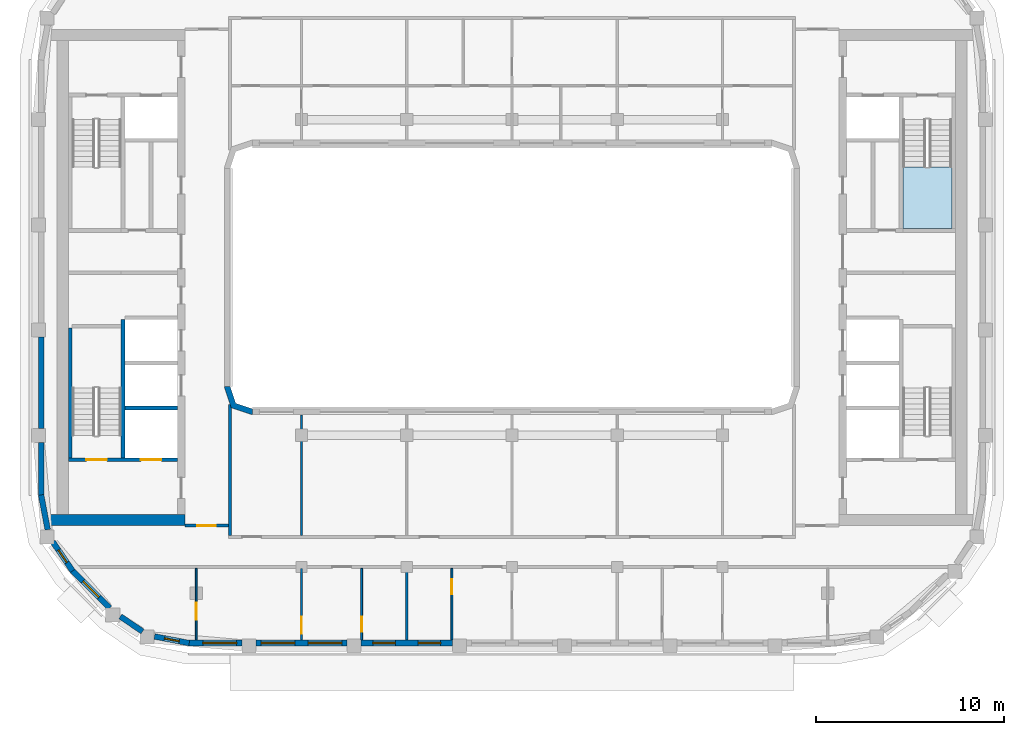
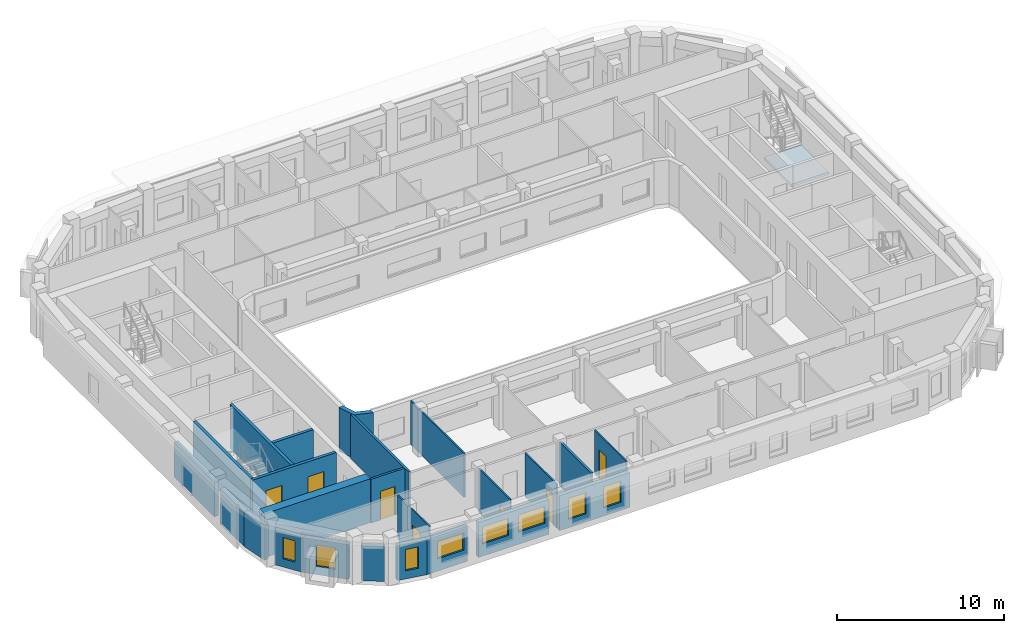
# One storey, part 2 of 16: 24 walls, 8 windows, 7 doors, 1 slab, 15 openings, 1 element without a shape of its own.
"""IFC4 building model written with IfcOpenShell, lengths in metres."""

from ifc_helpers import new_model, si_unit, direction, frame, frame_2d, origin, place, context, subcontext, project, spatial, polyline, rectangle, outline, extrude, material, layer, layer_set, type_object, element, fill, aggregate, save


model = new_model("IFC4")

# Units and contexts
model_context = context("Model", 3, precision=1e-05, world=origin(), true_north=direction((0.0, 1.0)))
body_context = subcontext(model_context, "Body", "Model", "MODEL_VIEW")
ifc_project = project(units=[si_unit("LENGTHUNIT", "METRE"), si_unit("AREAUNIT", "SQUARE_METRE"), si_unit("VOLUMEUNIT", "CUBIC_METRE"), si_unit("PLANEANGLEUNIT", "RADIAN"), si_unit("MASSUNIT", "GRAM", prefix="KILO")], contexts=[model_context])

# Site, building, storey
site_placement = place(None, origin())
site = spatial("IfcSite", under=ifc_project, at=site_placement, CompositionType="ELEMENT")
building_placement = place(site_placement, origin())
building = spatial("IfcBuilding", under=site, at=building_placement, Name="Kiln Ring Residences", CompositionType="ELEMENT")
storey_placement = place(building_placement, frame((0.0, 0.0, 276.699951171875)))
storey = spatial("IfcBuildingStorey", under=building, at=storey_placement, Name="L72", CompositionType="ELEMENT", Elevation=276.699951171875)

# Stair, slab
ifc_material_1 = material(Name="Concrete C40/50", Category="concrete")
stair_type = type_object("IfcStairType", Name="CORE-STAIR", PredefinedType="HALF_TURN_STAIR", material=ifc_material_1)
placement = place(storey_placement, origin())
stair = element("IfcStair", 1, at=placement, inside=storey, type_object=stair_type, Name="L72 stair E-STN", PredefinedType="HALF_TURN_STAIR")
ifc_material_2 = material(Name="Concrete C40/50", Category="concrete")
ifc_layer_1 = layer(ifc_material_2, 0.199951171875)
ifc_layer_set_1 = layer_set([ifc_layer_1], Name="CORE-STAIR-LANDING")
slab_type = type_object("IfcSlabType", Name="CORE-STAIR-LANDING", PredefinedType="LANDING", material=ifc_layer_set_1)
slab_placement = place(storey_placement, frame((0.0, 0.0, 1.550048828125)))
slab = element("IfcSlab", 2, at=slab_placement, type_object=slab_type, Name="E-STN landing 1", PredefinedType="LANDING", context=body_context, shape_type="SweptSolid", body=[
    extrude(outline(polyline([(20.800048828125, 5.8798828125), (20.800048828125, 2.60009765625), (23.39990234375, 2.60009765625), (23.39990234375, 5.8798828125), (20.800048828125, 5.8798828125)])), origin(), (0.0, 0.0, 1.0), 0.199951171875),
])
aggregate(stair, [slab])

# Walls
ifc_material_3 = material(Name="Gypsum shaft wall system")
ifc_layer_2 = layer(ifc_material_3, 0.199951171875)
ifc_layer_set_2 = layer_set([ifc_layer_2], Name="CORE-SHAFT-WALL-200")
wall_type_1 = type_object("IfcWallType", Name="CORE-SHAFT-WALL-200", PredefinedType="PARTITIONING", material=ifc_layer_set_2)
wall_1_placement = place(storey_placement, frame((-17.800048828125, -6.949951171875, 0.0), z_axis=(0.0, 0.0, 1.0), x_axis=(-1.0, 0.0, 0.0)))
element("IfcWall", 3, at=wall_1_placement, inside=storey, type_object=wall_type_1, Name="Core partition west L72 3", PredefinedType="PARTITIONING", context=body_context, shape_type="SweptSolid", body=[
    extrude(rectangle(XDim=2.800048828125, YDim=0.199951171875, at=frame_2d((1.39990234375, 0.0))), origin(), (0.0, 0.0, 1.0), 3.199951171875),
])
ifc_material_4 = material(Name="Concrete C40/50", Category="concrete")
ifc_layer_3 = layer(ifc_material_4, 0.199951171875)
ifc_layer_set_3 = layer_set([ifc_layer_3], Name="CORE-WALL-RC200")
wall_type_2 = type_object("IfcWallType", Name="CORE-WALL-RC200", PredefinedType="SHEAR", material=ifc_layer_set_3)
wall_2_placement = place(storey_placement, frame((-20.699951171875, -9.60009765625, 0.0), z_axis=(0.0, 0.0, 1.0), x_axis=(0.0, 1.0, 0.0)))
element("IfcWall", 4, at=wall_2_placement, inside=storey, type_object=wall_type_2, Name="Core wall west L72 2", PredefinedType="SHEAR", context=body_context, shape_type="SweptSolid", body=[
    extrude(rectangle(XDim=7.35009765625, YDim=0.199951171875, at=frame_2d((3.675048828125, 0.0))), origin(), (0.0, 0.0, 1.0), 3.199951171875),
])

# Wall, openings, doors
wall_3_placement = place(storey_placement, frame((-17.800048828125, -9.699951171875, 0.0), z_axis=(0.0, 0.0, 1.0), x_axis=(-1.0, 0.0, 0.0)))
wall_3 = element("IfcWall", 5, at=wall_3_placement, inside=storey, type_object=wall_type_2, Name="Core wall west L72 8", PredefinedType="SHEAR", context=body_context, shape_type="SweptSolid", body=[
    extrude(rectangle(XDim=5.800048828125, YDim=0.199951171875, at=frame_2d((2.89990234375, 0.0))), origin(), (0.0, 0.0, 1.0), 3.199951171875),
])
opening_1_placement = place(wall_3_placement, frame((0.85009765625, 0.0, 0.0)))
opening_1 = element("IfcOpeningElement", 6, at=opening_1_placement, cuts=wall_3, Name="Opening L72-CW01", PredefinedType="OPENING", context=body_context, shape_type="SweptSolid", body=[
    extrude(rectangle(XDim=1.10009765625, YDim=2.10009765625, at=frame_2d((0.550048828125, 1.050048828125))), frame((0.0, 0.10986328125, 0.0), z_axis=(0.0, -1.0, 0.0), x_axis=(1.0, 0.0, 0.0)), (0.0, 0.0, 1.0), 0.219970703125),
])
opening_2_placement = place(wall_3_placement, frame((3.75, 0.0, 0.0)))
opening_2 = element("IfcOpeningElement", 7, at=opening_2_placement, cuts=wall_3, Name="Opening L72-CW11", PredefinedType="OPENING", context=body_context, shape_type="SweptSolid", body=[
    extrude(rectangle(XDim=1.10009765625, YDim=2.10009765625, at=frame_2d((0.550048828125, 1.050048828125))), frame((0.0, 0.10986328125, 0.0), z_axis=(0.0, -1.0, 0.0), x_axis=(1.0, 0.0, 0.0)), (0.0, 0.0, 1.0), 0.219970703125),
])
ifc_material_5 = material(Name="Steel door leaf", Category="steel")
door_type_1 = type_object("IfcDoorType", Name="CORE-DOOR-LD", OperationType="DOUBLE_DOOR_SLIDING", PredefinedType="DOOR", material=ifc_material_5)
door_1_placement = place(opening_1_placement, origin())
door_1 = element("IfcDoor", 8, at=door_1_placement, inside=storey, type_object=door_type_1, Name="LD W-SV L72-CW01", OperationType="DOUBLE_DOOR_SLIDING", OverallHeight=2.10009765625, OverallWidth=1.10009765625, PredefinedType="DOOR", context=body_context, shape_type="SweptSolid", body=[
    extrude(rectangle(XDim=1.10009765625, YDim=2.10009765625, at=frame_2d((0.550048828125, 1.050048828125))), frame((0.0, 0.02490234375, 0.0), z_axis=(0.0, -1.0, 0.0), x_axis=(1.0, 0.0, 0.0)), (0.0, 0.0, 1.0), 0.050048828125),
])
fill(opening_1, door_1)
ifc_material_6 = material(Name="Steel door leaf", Category="steel")
door_type_2 = type_object("IfcDoorType", Name="CORE-DOOR-STAIR", OperationType="SINGLE_SWING_LEFT", PredefinedType="DOOR", material=ifc_material_6)
door_2_placement = place(opening_2_placement, origin())
door_2 = element("IfcDoor", 9, at=door_2_placement, inside=storey, type_object=door_type_2, Name="Stair W-STS L72-CW11", OperationType="SINGLE_SWING_RIGHT", OverallHeight=2.10009765625, OverallWidth=1.10009765625, PredefinedType="DOOR", context=body_context, shape_type="SweptSolid", body=[
    extrude(rectangle(XDim=1.10009765625, YDim=2.10009765625, at=frame_2d((0.550048828125, 1.050048828125))), frame((0.0, 0.02490234375, 0.0), z_axis=(0.0, -1.0, 0.0), x_axis=(1.0, 0.0, 0.0)), (0.0, 0.0, 1.0), 0.050048828125),
])
fill(opening_2, door_2)

# Walls
wall_4_placement = place(storey_placement, frame((-23.5, -9.60009765625, 0.0), z_axis=(0.0, 0.0, 1.0), x_axis=(0.0, 1.0, 0.0)))
element("IfcWall", 10, at=wall_4_placement, inside=storey, type_object=wall_type_2, Name="Core wall west L72 11", PredefinedType="SHEAR", context=body_context, shape_type="SweptSolid", body=[
    extrude(rectangle(XDim=6.900146484375, YDim=0.199951171875, at=frame_2d((3.4501953125, 0.0))), origin(), (0.0, 0.0, 1.0), 3.199951171875),
])
ifc_material_7 = material(Name="Concrete C60/75", Category="concrete")
ifc_layer_4 = layer(ifc_material_7, 0.60009765625)
ifc_layer_set_4 = layer_set([ifc_layer_4], Name="CORE-WALL-RC600")
wall_type_3 = type_object("IfcWallType", Name="CORE-WALL-RC600", PredefinedType="SHEAR", material=ifc_layer_set_4)
wall_5_placement = place(storey_placement, frame((-17.39990234375, -12.89990234375, 0.0), z_axis=(0.0, 0.0, 1.0), x_axis=(-1.0, 0.0, 0.0)))
element("IfcWall", 11, at=wall_5_placement, inside=storey, type_object=wall_type_3, Name="Core wall west L72 5", PredefinedType="SHEAR", context=body_context, shape_type="SweptSolid", body=[
    extrude(rectangle(XDim=7.320068359375, YDim=0.60009765625, at=frame_2d((3.66015625, 0.0))), origin(), (0.0, 0.0, 1.0), 3.199951171875),
])

# Wall, opening, window
ifc_material_8 = material(Name="Brick masonry, dark clay brick", Category="masonry")
ifc_layer_5 = layer(ifc_material_8, 0.300048828125)
ifc_layer_set_5 = layer_set([ifc_layer_5], Name="EW-300 BRICK WALL")
wall_type_4 = type_object("IfcWallType", Name="EW-300 BRICK WALL", PredefinedType="SOLIDWALL", material=ifc_layer_set_5)
wall_6_placement = place(storey_placement, frame((-23.39697265625, -15.591064453125, 0.0), z_axis=(0.0, 0.0, 1.0), x_axis=(0.707106781187, -0.707106781187, 0.0)))
wall_6 = element("IfcWall", 12, at=wall_6_placement, inside=storey, type_object=wall_type_4, Name="Facade wall L72 1", PredefinedType="SOLIDWALL", context=body_context, shape_type="SweptSolid", body=[
    extrude(rectangle(XDim=2.824951171875, YDim=0.300048828125, at=frame_2d((1.41259765625, 0.0))), origin(), (0.0, 0.0, 1.0), 2.550048828125),
])
opening_3_placement = place(wall_6_placement, frame((0.8125, 0.0, 0.60009765625)))
opening_3 = element("IfcOpeningElement", 13, at=opening_3_placement, cuts=wall_6, Name="Opening W1", PredefinedType="OPENING", context=body_context, shape_type="SweptSolid", body=[
    extrude(rectangle(XDim=1.199951171875, YDim=1.550048828125, at=frame_2d((0.60009765625, 0.77490234375))), frame((0.0, 0.159912109375, 0.0), z_axis=(0.0, -1.0, 0.0), x_axis=(1.0, 0.0, 0.0)), (0.0, 0.0, 1.0), 0.320068359375),
])
ifc_material_9 = material(Name="Aluminium frame with double glazing", Category="aluminium")
window_type_1 = type_object("IfcWindowType", Name="WINDOW 1200 x 1550", PartitioningType="SINGLE_PANEL", PredefinedType="WINDOW", material=ifc_material_9)
window_1_placement = place(opening_3_placement, origin())
window_1 = element("IfcWindow", 14, at=window_1_placement, inside=storey, type_object=window_type_1, Name="Window L72 1", OverallHeight=1.550048828125, OverallWidth=1.199951171875, PartitioningType="SINGLE_PANEL", PredefinedType="WINDOW", context=body_context, shape_type="SweptSolid", body=[
    extrude(rectangle(XDim=1.199951171875, YDim=1.550048828125, at=frame_2d((0.60009765625, 0.77490234375))), frame((0.0, 0.030029296875, 0.0), z_axis=(0.0, -1.0, 0.0), x_axis=(1.0, 0.0, 0.0)), (0.0, 0.0, 1.0), 0.06005859375),
])
fill(opening_3, window_1)

# Wall
wall_7_placement = place(storey_placement, frame((-20.837158203125, -18.0341796875, 0.0), z_axis=(0.0, 0.0, 1.0), x_axis=(0.827095130818, -0.562061957952, 0.0)))
element("IfcWall", 15, at=wall_7_placement, inside=storey, type_object=wall_type_4, Name="Facade wall L72 2", PredefinedType="SOLIDWALL", context=body_context, shape_type="SweptSolid", body=[
    extrude(rectangle(XDim=1.427001953125, YDim=0.300048828125, at=frame_2d((0.71337890625, 0.0))), origin(), (0.0, 0.0, 1.0), 2.550048828125),
])

# Wall, opening, window
wall_8_placement = place(storey_placement, frame((-19.019775390625, -19.10009765625, 0.0), z_axis=(0.0, 0.0, 1.0), x_axis=(0.982284001233, -0.187398348234, 0.0)))
wall_8 = element("IfcWall", 16, at=wall_8_placement, inside=storey, type_object=wall_type_4, Name="Facade wall L72 3", PredefinedType="SOLIDWALL", context=body_context, shape_type="SweptSolid", body=[
    extrude(rectangle(XDim=1.88134765625, YDim=0.300048828125, at=frame_2d((0.940673828125, 0.0))), origin(), (0.0, 0.0, 1.0), 2.550048828125),
])
opening_4_placement = place(wall_8_placement, frame((0.54052734375, 0.0, 0.60009765625)))
opening_4 = element("IfcOpeningElement", 17, at=opening_4_placement, cuts=wall_8, Name="Opening W5", PredefinedType="OPENING", context=body_context, shape_type="SweptSolid", body=[
    extrude(rectangle(XDim=0.800048828125, YDim=1.550048828125, at=frame_2d((0.39990234375, 0.77490234375))), frame((0.0, 0.159912109375, 0.0), z_axis=(0.0, -1.0, 0.0), x_axis=(1.0, 0.0, 0.0)), (0.0, 0.0, 1.0), 0.320068359375),
])
ifc_material_10 = material(Name="Aluminium frame with double glazing", Category="aluminium")
window_type_2 = type_object("IfcWindowType", Name="WINDOW 800 x 1550", PartitioningType="SINGLE_PANEL", PredefinedType="WINDOW", material=ifc_material_10)
window_2_placement = place(opening_4_placement, origin())
window_2 = element("IfcWindow", 18, at=window_2_placement, inside=storey, type_object=window_type_2, Name="Window L72 2", OverallHeight=1.550048828125, OverallWidth=0.800048828125, PartitioningType="SINGLE_PANEL", PredefinedType="WINDOW", context=body_context, shape_type="SweptSolid", body=[
    extrude(rectangle(XDim=0.800048828125, YDim=1.550048828125, at=frame_2d((0.39990234375, 0.77490234375))), frame((0.0, 0.030029296875, 0.0), z_axis=(0.0, -1.0, 0.0), x_axis=(1.0, 0.0, 0.0)), (0.0, 0.0, 1.0), 0.06005859375),
])
fill(opening_4, window_2)

wall_9_placement = place(storey_placement, frame((-17.199951171875, -19.449951171875, 0.0), z_axis=(0.0, 0.0, 1.0), x_axis=(1.0, 0.0, 0.0)))
wall_9 = element("IfcWall", 19, at=wall_9_placement, inside=storey, type_object=wall_type_4, Name="Facade wall L72 4", PredefinedType="SOLIDWALL", context=body_context, shape_type="SweptSolid", body=[
    extrude(rectangle(XDim=2.824951171875, YDim=0.300048828125, at=frame_2d((1.41259765625, 0.0))), origin(), (0.0, 0.0, 1.0), 2.550048828125),
])
opening_5_placement = place(wall_9_placement, frame((0.75, 0.0, 0.89990234375)))
opening_5 = element("IfcOpeningElement", 20, at=opening_5_placement, cuts=wall_9, Name="Opening W2", PredefinedType="OPENING", context=body_context, shape_type="SweptSolid", body=[
    extrude(rectangle(XDim=1.800048828125, YDim=1.25, at=frame_2d((0.89990234375, 0.625))), frame((0.0, 0.159912109375, 0.0), z_axis=(0.0, -1.0, 0.0), x_axis=(1.0, 0.0, 0.0)), (0.0, 0.0, 1.0), 0.320068359375),
])
ifc_material_11 = material(Name="Aluminium frame with double glazing", Category="aluminium")
window_type_3 = type_object("IfcWindowType", Name="WINDOW 1800 x 1250", PartitioningType="SINGLE_PANEL", PredefinedType="WINDOW", material=ifc_material_11)
window_3_placement = place(opening_5_placement, origin())
window_3 = element("IfcWindow", 21, at=window_3_placement, inside=storey, type_object=window_type_3, Name="Window L72 3", OverallHeight=1.25, OverallWidth=1.800048828125, PartitioningType="SINGLE_PANEL", PredefinedType="WINDOW", context=body_context, shape_type="SweptSolid", body=[
    extrude(rectangle(XDim=1.800048828125, YDim=1.25, at=frame_2d((0.89990234375, 0.625))), frame((0.0, 0.030029296875, 0.0), z_axis=(0.0, -1.0, 0.0), x_axis=(1.0, 0.0, 0.0)), (0.0, 0.0, 1.0), 0.06005859375),
])
fill(opening_5, window_3)

# Wall, openings, windows
wall_10_placement = place(storey_placement, frame((-13.625, -19.449951171875, 0.0), z_axis=(0.0, 0.0, 1.0), x_axis=(1.0, 0.0, 0.0)))
wall_10 = element("IfcWall", 22, at=wall_10_placement, inside=storey, type_object=wall_type_4, Name="Facade wall L72 5", PredefinedType="SOLIDWALL", context=body_context, shape_type="SweptSolid", body=[
    extrude(rectangle(XDim=4.85009765625, YDim=0.300048828125, at=frame_2d((2.425048828125, 0.0))), origin(), (0.0, 0.0, 1.0), 2.550048828125),
])
opening_6_placement = place(wall_10_placement, frame((0.27490234375, 0.0, 0.89990234375)))
opening_6 = element("IfcOpeningElement", 23, at=opening_6_placement, cuts=wall_10, Name="Opening W2", PredefinedType="OPENING", context=body_context, shape_type="SweptSolid", body=[
    extrude(rectangle(XDim=1.800048828125, YDim=1.25, at=frame_2d((0.89990234375, 0.625))), frame((0.0, 0.159912109375, 0.0), z_axis=(0.0, -1.0, 0.0), x_axis=(1.0, 0.0, 0.0)), (0.0, 0.0, 1.0), 0.320068359375),
])
opening_7_placement = place(wall_10_placement, frame((2.77490234375, 0.0, 0.89990234375)))
opening_7 = element("IfcOpeningElement", 24, at=opening_7_placement, cuts=wall_10, Name="Opening W2", PredefinedType="OPENING", context=body_context, shape_type="SweptSolid", body=[
    extrude(rectangle(XDim=1.800048828125, YDim=1.25, at=frame_2d((0.89990234375, 0.625))), frame((0.0, 0.159912109375, 0.0), z_axis=(0.0, -1.0, 0.0), x_axis=(1.0, 0.0, 0.0)), (0.0, 0.0, 1.0), 0.320068359375),
])
window_4_placement = place(opening_6_placement, origin())
window_4 = element("IfcWindow", 25, at=window_4_placement, inside=storey, type_object=window_type_3, Name="Window L72 4", OverallHeight=1.25, OverallWidth=1.800048828125, PartitioningType="SINGLE_PANEL", PredefinedType="WINDOW", context=body_context, shape_type="SweptSolid", body=[
    extrude(rectangle(XDim=1.800048828125, YDim=1.25, at=frame_2d((0.89990234375, 0.625))), frame((0.0, 0.030029296875, 0.0), z_axis=(0.0, -1.0, 0.0), x_axis=(1.0, 0.0, 0.0)), (0.0, 0.0, 1.0), 0.06005859375),
])
fill(opening_6, window_4)
window_5_placement = place(opening_7_placement, origin())
window_5 = element("IfcWindow", 26, at=window_5_placement, inside=storey, type_object=window_type_3, Name="Window L72 5", OverallHeight=1.25, OverallWidth=1.800048828125, PartitioningType="SINGLE_PANEL", PredefinedType="WINDOW", context=body_context, shape_type="SweptSolid", body=[
    extrude(rectangle(XDim=1.800048828125, YDim=1.25, at=frame_2d((0.89990234375, 0.625))), frame((0.0, 0.030029296875, 0.0), z_axis=(0.0, -1.0, 0.0), x_axis=(1.0, 0.0, 0.0)), (0.0, 0.0, 1.0), 0.06005859375),
])
fill(opening_7, window_5)

wall_11_placement = place(storey_placement, frame((-8.02490234375, -19.449951171875, 0.0), z_axis=(0.0, 0.0, 1.0), x_axis=(1.0, 0.0, 0.0)))
wall_11 = element("IfcWall", 27, at=wall_11_placement, inside=storey, type_object=wall_type_4, Name="Facade wall L72 6", PredefinedType="SOLIDWALL", context=body_context, shape_type="SweptSolid", body=[
    extrude(rectangle(XDim=4.849853515625, YDim=0.300048828125, at=frame_2d((2.4248046875, 0.0))), origin(), (0.0, 0.0, 1.0), 2.550048828125),
])
opening_8_placement = place(wall_11_placement, frame((0.625, 0.0, 0.60009765625)))
opening_8 = element("IfcOpeningElement", 28, at=opening_8_placement, cuts=wall_11, Name="Opening W1", PredefinedType="OPENING", context=body_context, shape_type="SweptSolid", body=[
    extrude(rectangle(XDim=1.199951171875, YDim=1.550048828125, at=frame_2d((0.60009765625, 0.77490234375))), frame((0.0, 0.159912109375, 0.0), z_axis=(0.0, -1.0, 0.0), x_axis=(1.0, 0.0, 0.0)), (0.0, 0.0, 1.0), 0.320068359375),
])
opening_9_placement = place(wall_11_placement, frame((3.02490234375, 0.0, 0.60009765625)))
opening_9 = element("IfcOpeningElement", 29, at=opening_9_placement, cuts=wall_11, Name="Opening W1", PredefinedType="OPENING", context=body_context, shape_type="SweptSolid", body=[
    extrude(rectangle(XDim=1.199951171875, YDim=1.550048828125, at=frame_2d((0.60009765625, 0.77490234375))), frame((0.0, 0.159912109375, 0.0), z_axis=(0.0, -1.0, 0.0), x_axis=(1.0, 0.0, 0.0)), (0.0, 0.0, 1.0), 0.320068359375),
])
window_6_placement = place(opening_8_placement, origin())
window_6 = element("IfcWindow", 30, at=window_6_placement, inside=storey, type_object=window_type_1, Name="Window L72 6", OverallHeight=1.550048828125, OverallWidth=1.199951171875, PartitioningType="SINGLE_PANEL", PredefinedType="WINDOW", context=body_context, shape_type="SweptSolid", body=[
    extrude(rectangle(XDim=1.199951171875, YDim=1.550048828125, at=frame_2d((0.60009765625, 0.77490234375))), frame((0.0, 0.030029296875, 0.0), z_axis=(0.0, -1.0, 0.0), x_axis=(1.0, 0.0, 0.0)), (0.0, 0.0, 1.0), 0.06005859375),
])
fill(opening_8, window_6)
window_7_placement = place(opening_9_placement, origin())
window_7 = element("IfcWindow", 31, at=window_7_placement, inside=storey, type_object=window_type_1, Name="Window L72 7", OverallHeight=1.550048828125, OverallWidth=1.199951171875, PartitioningType="SINGLE_PANEL", PredefinedType="WINDOW", context=body_context, shape_type="SweptSolid", body=[
    extrude(rectangle(XDim=1.199951171875, YDim=1.550048828125, at=frame_2d((0.60009765625, 0.77490234375))), frame((0.0, 0.030029296875, 0.0), z_axis=(0.0, -1.0, 0.0), x_axis=(1.0, 0.0, 0.0)), (0.0, 0.0, 1.0), 0.06005859375),
])
fill(opening_9, window_7)

# Walls
wall_12_placement = place(storey_placement, frame((-25.050048828125, -3.175048828125, 0.0), z_axis=(0.0, 0.0, 1.0), x_axis=(0.0, -1.0, 0.0)))
element("IfcWall", 32, at=wall_12_placement, inside=storey, type_object=wall_type_4, Name="Facade wall L72 41", PredefinedType="SOLIDWALL", context=body_context, shape_type="SweptSolid", body=[
    extrude(rectangle(XDim=4.849853515625, YDim=0.300048828125, at=frame_2d((2.4248046875, 0.0))), origin(), (0.0, 0.0, 1.0), 2.550048828125),
])
wall_13_placement = place(storey_placement, frame((-25.050048828125, -8.77490234375, 0.0), z_axis=(0.0, 0.0, 1.0), x_axis=(0.0, -1.0, 0.0)))
element("IfcWall", 33, at=wall_13_placement, inside=storey, type_object=wall_type_4, Name="Facade wall L72 42", PredefinedType="SOLIDWALL", context=body_context, shape_type="SweptSolid", body=[
    extrude(rectangle(XDim=2.8251953125, YDim=0.300048828125, at=frame_2d((1.41259765625, 0.0))), origin(), (0.0, 0.0, 1.0), 2.550048828125),
])
wall_14_placement = place(storey_placement, frame((-25.052734375, -11.57177734375, 0.0), z_axis=(0.0, 0.0, 1.0), x_axis=(0.187398348234, -0.982284001233, 0.0)))
element("IfcWall", 34, at=wall_14_placement, inside=storey, type_object=wall_type_4, Name="Facade wall L72 43", PredefinedType="SOLIDWALL", context=body_context, shape_type="SweptSolid", body=[
    extrude(rectangle(XDim=1.88134765625, YDim=0.300048828125, at=frame_2d((0.940673828125, 0.0))), origin(), (0.0, 0.0, 1.0), 2.550048828125),
])

# Wall, opening, window
wall_15_placement = place(storey_placement, frame((-24.436279296875, -14.056884765625, 0.0), z_axis=(0.0, 0.0, 1.0), x_axis=(0.562075713892, -0.827085782645, 0.0)))
wall_15 = element("IfcWall", 35, at=wall_15_placement, inside=storey, type_object=wall_type_4, Name="Facade wall L72 44", PredefinedType="SOLIDWALL", context=body_context, shape_type="SweptSolid", body=[
    extrude(rectangle(XDim=1.881103515625, YDim=0.300048828125, at=frame_2d((0.9404296875, 0.0))), origin(), (0.0, 0.0, 1.0), 2.550048828125),
])
opening_10_placement = place(wall_15_placement, frame((0.54052734375, 0.0, 0.60009765625)))
opening_10 = element("IfcOpeningElement", 36, at=opening_10_placement, cuts=wall_15, Name="Opening W5", PredefinedType="OPENING", context=body_context, shape_type="SweptSolid", body=[
    extrude(rectangle(XDim=0.800048828125, YDim=1.550048828125, at=frame_2d((0.39990234375, 0.77490234375))), frame((0.0, 0.159912109375, 0.0), z_axis=(0.0, -1.0, 0.0), x_axis=(1.0, 0.0, 0.0)), (0.0, 0.0, 1.0), 0.320068359375),
])
window_8_placement = place(opening_10_placement, origin())
window_8 = element("IfcWindow", 37, at=window_8_placement, inside=storey, type_object=window_type_2, Name="Window L72 36", OverallHeight=1.550048828125, OverallWidth=0.800048828125, PartitioningType="SINGLE_PANEL", PredefinedType="WINDOW", context=body_context, shape_type="SweptSolid", body=[
    extrude(rectangle(XDim=0.800048828125, YDim=1.550048828125, at=frame_2d((0.39990234375, 0.77490234375))), frame((0.0, 0.030029296875, 0.0), z_axis=(0.0, -1.0, 0.0), x_axis=(1.0, 0.0, 0.0)), (0.0, 0.0, 1.0), 0.06005859375),
])
fill(opening_10, window_8)

# Wall
element("IfcWall", 38, at=placement, inside=storey, type_object=wall_type_4, Name="Corner wall L72 4", PredefinedType="SOLIDWALL", context=body_context, shape_type="SweptSolid", body=[
    extrude(outline(polyline([(-14.937255859375, -6.937255859375), (-13.8486328125, -7.300048828125), (-13.800048828125, -7.300048828125), (-13.800048828125, -7.0), (-14.699951171875, -6.699951171875), (-15.0, -5.800048828125), (-15.300048828125, -5.800048828125), (-15.300048828125, -5.8486328125), (-14.937255859375, -6.937255859375)])), origin(), (0.0, 0.0, 1.0), 3.199951171875),
])

# Wall, opening, door
ifc_material_12 = material(Name="Gypsum board on steel studs", Category="steel")
ifc_layer_6 = layer(ifc_material_12, 0.10009765625)
ifc_layer_set_6 = layer_set([ifc_layer_6], Name="PARTITION-100")
wall_type_5 = type_object("IfcWallType", Name="PARTITION-100", PredefinedType="PARTITIONING", material=ifc_layer_set_6)
wall_17_placement = place(storey_placement, frame((-16.800048828125, -19.280029296875, 0.0), z_axis=(0.0, 0.0, 1.0), x_axis=(0.0, 1.0, 0.0)))
wall_17 = element("IfcWall", 39, at=wall_17_placement, inside=storey, type_object=wall_type_5, Name="Partition 009", PredefinedType="PARTITIONING", context=body_context, shape_type="SweptSolid", body=[
    extrude(rectangle(XDim=3.804931640625, YDim=0.10009765625, at=frame_2d((1.90234375, 0.0))), origin(), (0.0, 0.0, 1.0), 3.199951171875),
])
opening_11_placement = place(wall_17_placement, frame((1.0791015625, 0.0, 0.0)))
opening_11 = element("IfcOpeningElement", 40, at=opening_11_placement, cuts=wall_17, Name="Opening L72-D039", PredefinedType="OPENING", context=body_context, shape_type="SweptSolid", body=[
    extrude(rectangle(XDim=0.89990234375, YDim=2.10009765625, at=frame_2d((0.449951171875, 1.050048828125))), frame((0.0, 0.06005859375, 0.0), z_axis=(0.0, -1.0, 0.0), x_axis=(1.0, 0.0, 0.0)), (0.0, 0.0, 1.0), 0.1201171875),
])
ifc_material_13 = material(Name="Timber door leaf", Category="wood")
door_type_3 = type_object("IfcDoorType", Name="FLAT-DOOR-900-PL", OperationType="SINGLE_SWING_LEFT", PredefinedType="DOOR", material=ifc_material_13)
door_3_placement = place(opening_11_placement, origin())
door_3 = element("IfcDoor", 41, at=door_3_placement, inside=storey, type_object=door_type_3, Name="Door L72-D039", OperationType="SINGLE_SWING_RIGHT", OverallHeight=2.10009765625, OverallWidth=0.89990234375, PredefinedType="DOOR", context=body_context, shape_type="SweptSolid", body=[
    extrude(rectangle(XDim=0.89990234375, YDim=2.10009765625, at=frame_2d((0.449951171875, 1.050048828125))), frame((0.0, 0.02490234375, 0.0), z_axis=(0.0, -1.0, 0.0), x_axis=(1.0, 0.0, 0.0)), (0.0, 0.0, 1.0), 0.050048828125),
])
fill(opening_11, door_3)

wall_18_placement = place(storey_placement, frame((-11.199951171875, -19.280029296875, 0.0), z_axis=(0.0, 0.0, 1.0), x_axis=(0.0, 1.0, 0.0)))
wall_18 = element("IfcWall", 42, at=wall_18_placement, inside=storey, type_object=wall_type_5, Name="Partition 013", PredefinedType="PARTITIONING", context=body_context, shape_type="SweptSolid", body=[
    extrude(rectangle(XDim=3.804931640625, YDim=0.10009765625, at=frame_2d((1.90234375, 0.0))), origin(), (0.0, 0.0, 1.0), 3.199951171875),
])
opening_12_placement = place(wall_18_placement, frame((0.3291015625, 0.0, 0.0)))
opening_12 = element("IfcOpeningElement", 43, at=opening_12_placement, cuts=wall_18, Name="Opening L72-D038", PredefinedType="OPENING", context=body_context, shape_type="SweptSolid", body=[
    extrude(rectangle(XDim=0.89990234375, YDim=2.10009765625, at=frame_2d((0.449951171875, 1.050048828125))), frame((0.0, 0.06005859375, 0.0), z_axis=(0.0, -1.0, 0.0), x_axis=(1.0, 0.0, 0.0)), (0.0, 0.0, 1.0), 0.1201171875),
])
door_4_placement = place(opening_12_placement, origin())
door_4 = element("IfcDoor", 44, at=door_4_placement, inside=storey, type_object=door_type_3, Name="Door L72-D038", OperationType="SINGLE_SWING_RIGHT", OverallHeight=2.10009765625, OverallWidth=0.89990234375, PredefinedType="DOOR", context=body_context, shape_type="SweptSolid", body=[
    extrude(rectangle(XDim=0.89990234375, YDim=2.10009765625, at=frame_2d((0.449951171875, 1.050048828125))), frame((0.0, 0.02490234375, 0.0), z_axis=(0.0, -1.0, 0.0), x_axis=(1.0, 0.0, 0.0)), (0.0, 0.0, 1.0), 0.050048828125),
])
fill(opening_12, door_4)

# Wall
wall_19_placement = place(storey_placement, frame((-11.199951171875, -13.72509765625, 0.0), z_axis=(0.0, 0.0, 1.0), x_axis=(0.0, 1.0, 0.0)))
element("IfcWall", 45, at=wall_19_placement, inside=storey, type_object=wall_type_5, Name="Partition 014", PredefinedType="PARTITIONING", context=body_context, shape_type="SweptSolid", body=[
    extrude(rectangle(XDim=6.405029296875, YDim=0.10009765625, at=frame_2d((3.20263671875, 0.0))), origin(), (0.0, 0.0, 1.0), 3.199951171875),
])

# Wall, opening, door
wall_20_placement = place(storey_placement, frame((-8.0, -19.280029296875, 0.0), z_axis=(0.0, 0.0, 1.0), x_axis=(0.0, 1.0, 0.0)))
wall_20 = element("IfcWall", 46, at=wall_20_placement, inside=storey, type_object=wall_type_5, Name="Partition 018", PredefinedType="PARTITIONING", context=body_context, shape_type="SweptSolid", body=[
    extrude(rectangle(XDim=3.804931640625, YDim=0.10009765625, at=frame_2d((1.90234375, 0.0))), origin(), (0.0, 0.0, 1.0), 3.199951171875),
])
opening_13_placement = place(wall_20_placement, frame((0.419921875, 0.0, 0.0)))
opening_13 = element("IfcOpeningElement", 47, at=opening_13_placement, cuts=wall_20, Name="Opening L72-D037", PredefinedType="OPENING", context=body_context, shape_type="SweptSolid", body=[
    extrude(rectangle(XDim=0.800048828125, YDim=2.10009765625, at=frame_2d((0.39990234375, 1.050048828125))), frame((0.0, 0.06005859375, 0.0), z_axis=(0.0, -1.0, 0.0), x_axis=(1.0, 0.0, 0.0)), (0.0, 0.0, 1.0), 0.1201171875),
])
ifc_material_14 = material(Name="Timber door leaf", Category="wood")
door_type_4 = type_object("IfcDoorType", Name="FLAT-DOOR-800-PL", OperationType="SINGLE_SWING_LEFT", PredefinedType="DOOR", material=ifc_material_14)
door_5_placement = place(opening_13_placement, origin())
door_5 = element("IfcDoor", 48, at=door_5_placement, inside=storey, type_object=door_type_4, Name="Door L72-D037", OperationType="SINGLE_SWING_LEFT", OverallHeight=2.10009765625, OverallWidth=0.800048828125, PredefinedType="DOOR", context=body_context, shape_type="SweptSolid", body=[
    extrude(rectangle(XDim=0.800048828125, YDim=2.10009765625, at=frame_2d((0.39990234375, 1.050048828125))), frame((0.0, 0.02490234375, 0.0), z_axis=(0.0, -1.0, 0.0), x_axis=(1.0, 0.0, 0.0)), (0.0, 0.0, 1.0), 0.050048828125),
])
fill(opening_13, door_5)

wall_21_placement = place(storey_placement, frame((-3.199951171875, -19.280029296875, 0.0), z_axis=(0.0, 0.0, 1.0), x_axis=(0.0, 1.0, 0.0)))
wall_21 = element("IfcWall", 49, at=wall_21_placement, inside=storey, type_object=wall_type_5, Name="Partition 025", PredefinedType="PARTITIONING", context=body_context, shape_type="SweptSolid", body=[
    extrude(rectangle(XDim=3.804931640625, YDim=0.10009765625, at=frame_2d((1.90234375, 0.0))), origin(), (0.0, 0.0, 1.0), 3.199951171875),
])
opening_14_placement = place(wall_21_placement, frame((2.428955078125, 0.0, 0.0)))
opening_14 = element("IfcOpeningElement", 50, at=opening_14_placement, cuts=wall_21, Name="Opening L72-D041", PredefinedType="OPENING", context=body_context, shape_type="SweptSolid", body=[
    extrude(rectangle(XDim=0.800048828125, YDim=2.10009765625, at=frame_2d((0.39990234375, 1.050048828125))), frame((0.0, 0.06005859375, 0.0), z_axis=(0.0, -1.0, 0.0), x_axis=(1.0, 0.0, 0.0)), (0.0, 0.0, 1.0), 0.1201171875),
])
door_6_placement = place(opening_14_placement, origin())
door_6 = element("IfcDoor", 51, at=door_6_placement, inside=storey, type_object=door_type_4, Name="Door L72-D041", OperationType="SINGLE_SWING_LEFT", OverallHeight=2.10009765625, OverallWidth=0.800048828125, PredefinedType="DOOR", context=body_context, shape_type="SweptSolid", body=[
    extrude(rectangle(XDim=0.800048828125, YDim=2.10009765625, at=frame_2d((0.39990234375, 1.050048828125))), frame((0.0, 0.02490234375, 0.0), z_axis=(0.0, -1.0, 0.0), x_axis=(1.0, 0.0, 0.0)), (0.0, 0.0, 1.0), 0.050048828125),
])
fill(opening_14, door_6)

ifc_material_15 = material(Name="Brick masonry partition", Category="masonry")
ifc_layer_7 = layer(ifc_material_15, 0.14990234375)
ifc_layer_set_7 = layer_set([ifc_layer_7], Name="PARTITION-150-ei60")
wall_type_6 = type_object("IfcWallType", Name="PARTITION-150-ei60", PredefinedType="PARTITIONING", material=ifc_layer_set_7)
wall_22_placement = place(storey_placement, frame((-17.39990234375, -13.199951171875, 0.0), z_axis=(0.0, 0.0, 1.0), x_axis=(1.0, 0.0, 0.0)))
wall_22 = element("IfcWall", 52, at=wall_22_placement, inside=storey, type_object=wall_type_6, Name="Partition 002", PredefinedType="PARTITIONING", context=body_context, shape_type="SweptSolid", body=[
    extrude(rectangle(XDim=2.324951171875, YDim=0.14990234375, at=frame_2d((1.16259765625, 0.0))), origin(), (0.0, 0.0, 1.0), 3.199951171875),
])
opening_15_placement = place(wall_22_placement, frame((0.64990234375, 0.0, 0.0)))
opening_15 = element("IfcOpeningElement", 53, at=opening_15_placement, cuts=wall_22, Name="Opening L72-D003", PredefinedType="OPENING", context=body_context, shape_type="SweptSolid", body=[
    extrude(rectangle(XDim=1.0, YDim=2.10009765625, at=frame_2d((0.5, 1.050048828125))), frame((0.0, 0.0849609375, 0.0), z_axis=(0.0, -1.0, 0.0), x_axis=(1.0, 0.0, 0.0)), (0.0, 0.0, 1.0), 0.169921875),
])
ifc_material_16 = material(Name="Steel faced fire door leaf", Category="steel")
door_type_5 = type_object("IfcDoorType", Name="FLAT-DOOR-1000-FR", OperationType="SINGLE_SWING_LEFT", PredefinedType="DOOR", material=ifc_material_16)
door_7_placement = place(opening_15_placement, origin())
door_7 = element("IfcDoor", 54, at=door_7_placement, inside=storey, type_object=door_type_5, Name="Door L72-D003", OperationType="SINGLE_SWING_RIGHT", OverallHeight=2.10009765625, OverallWidth=1.0, PredefinedType="DOOR", context=body_context, shape_type="SweptSolid", body=[
    extrude(rectangle(XDim=1.0, YDim=2.10009765625, at=frame_2d((0.5, 1.050048828125))), frame((0.0, 0.02490234375, 0.0), z_axis=(0.0, -1.0, 0.0), x_axis=(1.0, 0.0, 0.0)), (0.0, 0.0, 1.0), 0.050048828125),
])
fill(opening_15, door_7)

# Walls
wall_23_placement = place(storey_placement, frame((-15.0, -13.72509765625, 0.0), z_axis=(0.0, 0.0, 1.0), x_axis=(0.0, 1.0, 0.0)))
element("IfcWall", 55, at=wall_23_placement, inside=storey, type_object=wall_type_6, Name="Partition 011", PredefinedType="PARTITIONING", context=body_context, shape_type="SweptSolid", body=[
    extrude(rectangle(XDim=6.956298828125, YDim=0.14990234375, at=frame_2d((3.47802734375, 0.0))), origin(), (0.0, 0.0, 1.0), 3.199951171875),
])
wall_24_placement = place(storey_placement, frame((-5.60009765625, -19.280029296875, 0.0), z_axis=(0.0, 0.0, 1.0), x_axis=(0.0, 1.0, 0.0)))
element("IfcWall", 56, at=wall_24_placement, inside=storey, type_object=wall_type_6, Name="Partition 021", PredefinedType="PARTITIONING", context=body_context, shape_type="SweptSolid", body=[
    extrude(rectangle(XDim=3.804931640625, YDim=0.14990234375, at=frame_2d((1.90234375, 0.0))), origin(), (0.0, 0.0, 1.0), 3.199951171875),
])

save(model, "model.ifc")
